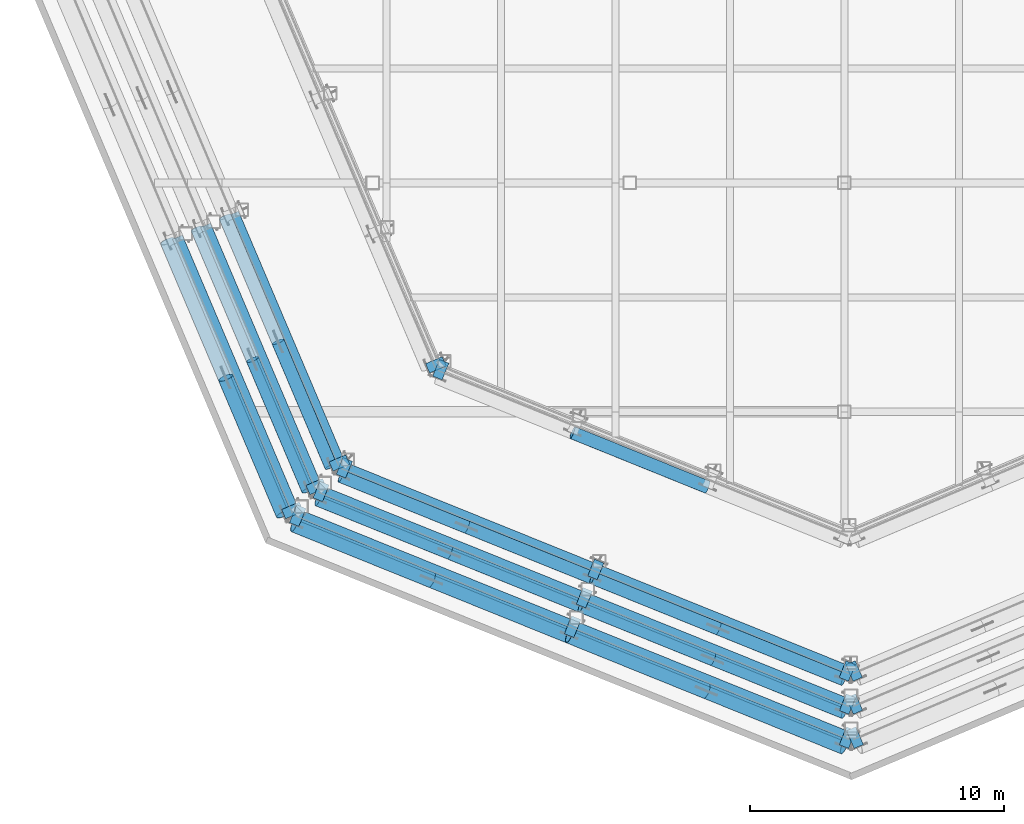
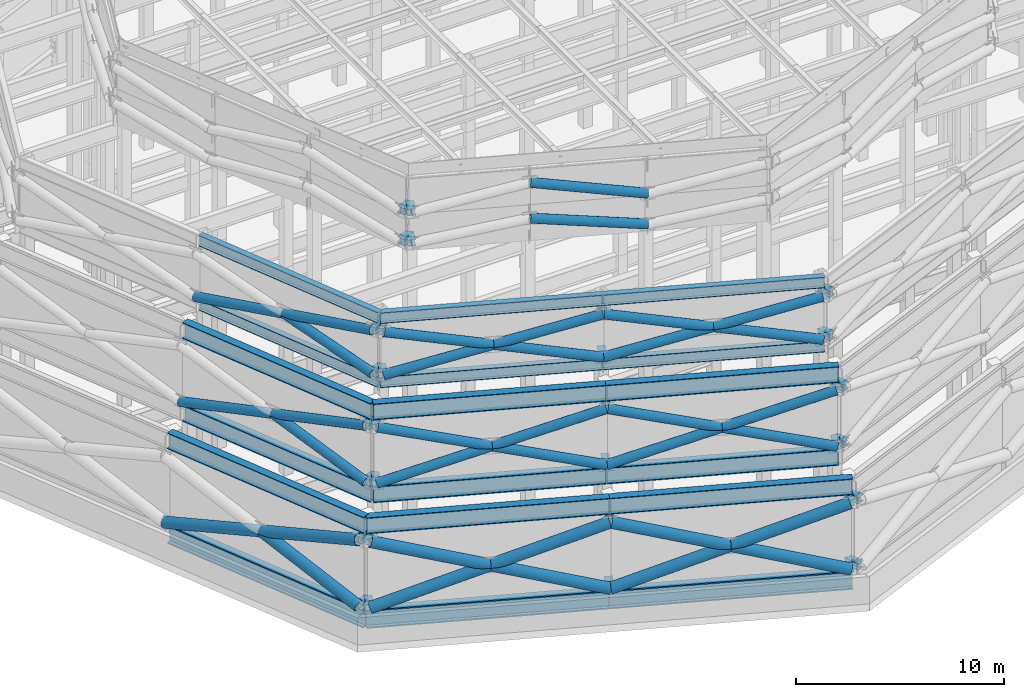
# One storey, part 3 of 19: 60 members, 18 beams.
"""IFC4 building model written with IfcOpenShell, lengths in metres."""

from ifc_helpers import new_model, si_unit, direction, frame, origin, origin_2d, place, context, subcontext, project, spatial, hollow_circle, i_section, extrude, material, material_profile, profile_set, type_object, element, save


model = new_model("IFC4")

# Units and contexts
model_context = context("Model", 3, precision=1e-05, world=origin(), true_north=direction((0.0, 1.0)))
body_context = subcontext(model_context, "Body", "Model", "MODEL_VIEW")
ifc_project = project(units=[si_unit("LENGTHUNIT", "METRE"), si_unit("AREAUNIT", "SQUARE_METRE"), si_unit("VOLUMEUNIT", "CUBIC_METRE"), si_unit("PLANEANGLEUNIT", "RADIAN"), si_unit("MASSUNIT", "GRAM", prefix="KILO")], contexts=[model_context])

# Site, building, storey
site_placement = place(None, origin())
site = spatial("IfcSite", under=ifc_project, at=site_placement, CompositionType="ELEMENT")
building_placement = place(site_placement, origin())
building = spatial("IfcBuilding", under=site, at=building_placement, Name="Orlundy Tower", CompositionType="ELEMENT")
storey_placement = place(building_placement, frame((0.0, 0.0, 304.300048828125)))
storey = spatial("IfcBuildingStorey", under=building, at=storey_placement, Name="Roof", CompositionType="ELEMENT", Elevation=304.300048828125)

# Beams
ifc_material_1 = material(Name="Steel ASTM A992 Gr 50", Category="steel")
ifc_material_profile_1 = material_profile(ifc_material_1, i_section(OverallWidth=0.3291015625, OverallDepth=0.635009765625, WebThickness=0.017822265625, FlangeThickness=0.031005859375, at=origin_2d()), Name="W24X162")
ifc_profile_set_1 = profile_set([ifc_material_profile_1], Name="Steel ASTM A992 Gr 50")
beam_type_1 = type_object("IfcBeamType", Name="CROWN FRAME beam W24X162", PredefinedType="BEAM", material=ifc_profile_set_1)
for number, where, z_axis, x_axis, name in (
    (1, (-23.97412109375, -10.176513671875, 12.617431640625), (0.39074046412, -0.920500890656, 0.0), (0.920500890656, 0.39074046412, 0.0), "CROWN FRAME foot ring beam 3-08"),
    (2, (-19.7587890625, -20.10693359375, 12.617431640625), (0.927183496705, -0.374607479154, 0.0), (0.374607479154, 0.927183496705, 0.0), "CROWN FRAME foot ring beam 3-09"),
):
    element("IfcBeam", number, at=place(storey_placement, frame(where, z_axis=z_axis, x_axis=x_axis)), inside=storey, type_object=beam_type_1, Name=name, PredefinedType="BEAM", context=body_context, shape_type="SweptSolid", body=[
        extrude(i_section(OverallWidth=0.3291015625, OverallDepth=0.635009765625, WebThickness=0.017822265625, FlangeThickness=0.031005859375, at=origin_2d()), origin(), (0.0, 0.0, 1.0), 10.7880859375),
    ])
beam_1_placement = place(storey_placement, frame((-9.75634765625, -24.148193359375, 12.617431640625), z_axis=(0.927191356917, -0.374588023912, 0.0), x_axis=(0.374588023912, 0.927191356917, 0.0)))
element("IfcBeam", 3, at=beam_1_placement, inside=storey, type_object=beam_type_1, Name="CROWN FRAME foot ring beam 3-10", PredefinedType="BEAM", context=body_context, shape_type="SweptSolid", body=[
    extrude(i_section(OverallWidth=0.3291015625, OverallDepth=0.635009765625, WebThickness=0.017822265625, FlangeThickness=0.031005859375, at=origin_2d()), origin(), (0.0, 0.0, 1.0), 10.787841796875),
])
for number, where, z_axis, x_axis, name in (
    (4, (-23.97412109375, -10.176513671875, 16.382568359375), (0.39074046412, -0.920500890656, 0.0), (0.920500890656, 0.39074046412, 0.0), "CROWN FRAME head ring beam 3-08"),
    (5, (-19.7587890625, -20.10693359375, 16.382568359375), (0.927183496705, -0.374607479154, 0.0), (0.374607479154, 0.927183496705, 0.0), "CROWN FRAME head ring beam 3-09"),
):
    element("IfcBeam", number, at=place(storey_placement, frame(where, z_axis=z_axis, x_axis=x_axis)), inside=storey, type_object=beam_type_1, Name=name, PredefinedType="BEAM", context=body_context, shape_type="SweptSolid", body=[
        extrude(i_section(OverallWidth=0.3291015625, OverallDepth=0.635009765625, WebThickness=0.017822265625, FlangeThickness=0.031005859375, at=origin_2d()), origin(), (0.0, 0.0, 1.0), 10.7880859375),
    ])
beam_2_placement = place(storey_placement, frame((-9.75634765625, -24.148193359375, 16.382568359375), z_axis=(0.927191356917, -0.374588023912, 0.0), x_axis=(0.374588023912, 0.927191356917, 0.0)))
element("IfcBeam", 6, at=beam_2_placement, inside=storey, type_object=beam_type_1, Name="CROWN FRAME head ring beam 3-10", PredefinedType="BEAM", context=body_context, shape_type="SweptSolid", body=[
    extrude(i_section(OverallWidth=0.3291015625, OverallDepth=0.635009765625, WebThickness=0.017822265625, FlangeThickness=0.031005859375, at=origin_2d()), origin(), (0.0, 0.0, 1.0), 10.787841796875),
])
ifc_material_2 = material(Name="Steel ASTM A992 Gr 50", Category="steel")
ifc_material_profile_2 = material_profile(ifc_material_2, i_section(OverallWidth=0.423095703125, OverallDepth=0.947265625, WebThickness=0.02392578125, FlangeThickness=0.042724609375, at=origin_2d()), Name="W36X302")
ifc_profile_set_2 = profile_set([ifc_material_profile_2], Name="Steel ASTM A992 Gr 50")
beam_type_2 = type_object("IfcBeamType", Name="CROWN FRAME beam W36X302", PredefinedType="BEAM", material=ifc_profile_set_2)
for number, where, z_axis, x_axis, name in (
    (7, (-26.2265625, -11.1328125, 6.0263671875), (0.390741095026, -0.920500622845, 0.0), (0.920500622845, 0.390741095026, 0.0), "CROWN FRAME head ring beam 1-08"),
    (8, (-21.615234375, -21.99609375, 6.0263671875), (0.927184224004, -0.374605679026, 0.0), (0.374605679026, 0.927184224004, 0.0), "CROWN FRAME head ring beam 1-09"),
):
    element("IfcBeam", number, at=place(storey_placement, frame(where, z_axis=z_axis, x_axis=x_axis)), inside=storey, type_object=beam_type_2, Name=name, PredefinedType="BEAM", context=body_context, shape_type="SweptSolid", body=[
        extrude(i_section(OverallWidth=0.423095703125, OverallDepth=0.947265625, WebThickness=0.02392578125, FlangeThickness=0.042724609375, at=origin_2d()), origin(), (0.0, 0.0, 1.0), 11.801513671875),
    ])
beam_3_placement = place(storey_placement, frame((-10.673095703125, -26.4169921875, 6.0263671875), z_axis=(0.927187126957, -0.374598493863, 0.0), x_axis=(0.374598493863, 0.927187126957, 0.0)))
element("IfcBeam", 9, at=beam_3_placement, inside=storey, type_object=beam_type_2, Name="CROWN FRAME head ring beam 1-10", PredefinedType="BEAM", context=body_context, shape_type="SweptSolid", body=[
    extrude(i_section(OverallWidth=0.423095703125, OverallDepth=0.947265625, WebThickness=0.02392578125, FlangeThickness=0.042724609375, at=origin_2d()), origin(), (0.0, 0.0, 1.0), 11.8017578125),
])
for number, where, z_axis, x_axis, name in (
    (10, (-25.121826171875, -10.663818359375, 6.9736328125), (0.390731757698, -0.920504586369, 0.0), (0.920504586369, 0.390731757698, 0.0), "CROWN FRAME foot ring beam 2-08"),
    (11, (-20.704833984375, -21.069580078125, 6.9736328125), (0.927188759701, -0.374594452553, 0.0), (0.374594452553, 0.927188759701, 0.0), "CROWN FRAME foot ring beam 2-09"),
    (12, (-10.223388671875, -25.30419921875, 6.9736328125), (0.927178227786, -0.374620519885, 0.0), (0.374620519885, 0.927178227786, 0.0), "CROWN FRAME foot ring beam 2-10"),
    (13, (-25.121826171875, -10.663818359375, 11.826416015625), (0.390731757698, -0.920504586369, 0.0), (0.920504586369, 0.390731757698, 0.0), "CROWN FRAME head ring beam 2-08"),
    (14, (-20.704833984375, -21.069580078125, 11.826416015625), (0.927188759701, -0.374594452553, 0.0), (0.374594452553, 0.927188759701, 0.0), "CROWN FRAME head ring beam 2-09"),
    (15, (-10.223388671875, -25.30419921875, 11.826416015625), (0.927178227786, -0.374620519885, 0.0), (0.374620519885, 0.927178227786, 0.0), "CROWN FRAME head ring beam 2-10"),
):
    element("IfcBeam", number, at=place(storey_placement, frame(where, z_axis=z_axis, x_axis=x_axis)), inside=storey, type_object=beam_type_2, Name=name, PredefinedType="BEAM", context=body_context, shape_type="SweptSolid", body=[
        extrude(i_section(OverallWidth=0.423095703125, OverallDepth=0.947265625, WebThickness=0.02392578125, FlangeThickness=0.042724609375, at=origin_2d()), origin(), (0.0, 0.0, 1.0), 11.304443359375),
    ])
ifc_material_3 = material(Name="Steel ASTM A992 Gr 50", Category="steel")
ifc_material_profile_3 = material_profile(ifc_material_3, i_section(OverallWidth=0.41650390625, OverallDepth=1.068115234375, WebThickness=0.0390625, FlangeThickness=0.070068359375, at=origin_2d()), Name="W40X503")
ifc_profile_set_3 = profile_set([ifc_material_profile_3], Name="Steel ASTM A992 Gr 50")
beam_type_3 = type_object("IfcBeamType", Name="CROWN FRAME beam W40X503", PredefinedType="BEAM", material=ifc_profile_set_3)
beam_4_placement = place(storey_placement, frame((-26.2236328125, -11.13134765625, 0.533935546875), z_axis=(0.390735799974, -0.920502870511, 0.0), x_axis=(0.920502870511, 0.390735799974, 0.0)))
element("IfcBeam", 16, at=beam_4_placement, inside=storey, type_object=beam_type_3, Name="CROWN FRAME foot ring beam 1-08", PredefinedType="BEAM", context=body_context, shape_type="SweptSolid", body=[
    extrude(i_section(OverallWidth=0.41650390625, OverallDepth=1.068115234375, WebThickness=0.0390625, FlangeThickness=0.070068359375, at=origin_2d()), origin(), (0.0, 0.0, 1.0), 11.80029296875),
])
beam_5_placement = place(storey_placement, frame((-21.61279296875, -21.99365234375, 0.533935546875), z_axis=(0.927184079381, -0.374606036981, 0.0), x_axis=(0.374606036981, 0.927184079381, 0.0)))
element("IfcBeam", 17, at=beam_5_placement, inside=storey, type_object=beam_type_3, Name="CROWN FRAME foot ring beam 1-09", PredefinedType="BEAM", context=body_context, shape_type="SweptSolid", body=[
    extrude(i_section(OverallWidth=0.41650390625, OverallDepth=1.068115234375, WebThickness=0.0390625, FlangeThickness=0.070068359375, at=origin_2d()), origin(), (0.0, 0.0, 1.0), 11.800048828125),
])
beam_6_placement = place(storey_placement, frame((-10.671875, -26.4140625, 0.533935546875), z_axis=(0.927194168391, -0.374581064793, 0.0), x_axis=(0.374581064793, 0.927194168391, 0.0)))
element("IfcBeam", 18, at=beam_6_placement, inside=storey, type_object=beam_type_3, Name="CROWN FRAME foot ring beam 1-10", PredefinedType="BEAM", context=body_context, shape_type="SweptSolid", body=[
    extrude(i_section(OverallWidth=0.41650390625, OverallDepth=1.068115234375, WebThickness=0.0390625, FlangeThickness=0.070068359375, at=origin_2d()), origin(), (0.0, 0.0, 1.0), 11.80029296875),
])

# Members
ifc_material_4 = material(Name="Steel ASTM A500 Gr C", Category="steel")
ifc_material_profile_4 = material_profile(ifc_material_4, hollow_circle(Radius=0.25390625, WallThickness=0.01171875, at=origin_2d()), Name="HSS20.000X0.500")
ifc_profile_set_4 = profile_set([ifc_material_profile_4], Name="Steel ASTM A500 Gr C")
member_type_1 = type_object("IfcMemberType", Name="CROWN FRAME diagonal HSS20.000X0.500", PredefinedType="BRACE", material=ifc_profile_set_4)
member_1_placement = place(storey_placement, frame((-25.45556640625, -10.805419921875, 7.7470703125), z_axis=(0.374642232115, -0.882610370828, 0.283975582088), x_axis=(0.920506219917, 0.390727909284, 0.0)))
element("IfcMember", 19, at=member_1_placement, inside=storey, type_object=member_type_1, Name="CROWN FRAME brace 2-08a", PredefinedType="BRACE", context=body_context, shape_type="SweptSolid", body=[
    extrude(hollow_circle(Radius=0.25390625, WallThickness=0.01171875, at=origin_2d()), origin(), (0.0, 0.0, 1.0), 11.640625),
])
member_2_placement = place(storey_placement, frame((-21.094482421875, -21.07958984375, 7.7470703125), z_axis=(-0.374617267841, 0.882621940422, 0.283972556632), x_axis=(-0.920517426031, -0.390701508026, 0.0)))
element("IfcMember", 20, at=member_2_placement, inside=storey, type_object=member_type_1, Name="CROWN FRAME brace 2-08ba", PredefinedType="BRACE", context=body_context, shape_type="SweptSolid", body=[
    extrude(hollow_circle(Radius=0.25390625, WallThickness=0.01171875, at=origin_2d()), origin(), (0.0, 0.0, 1.0), 5.8203125),
])
member_3_placement = place(storey_placement, frame((-20.7080078125, -21.459228515625, 7.7470703125), z_axis=(0.889016102704, -0.359180206537, 0.283971738673), x_axis=(0.374601559882, 0.927185888231, 0.0)))
element("IfcMember", 21, at=member_3_placement, inside=storey, type_object=member_type_1, Name="CROWN FRAME brace 2-09a", PredefinedType="BRACE", context=body_context, shape_type="SweptSolid", body=[
    extrude(hollow_circle(Radius=0.25390625, WallThickness=0.01171875, at=origin_2d()), origin(), (0.0, 0.0, 1.0), 11.640869140625),
])
member_4_placement = place(storey_placement, frame((-10.359130859375, -25.640380859375, 7.7470703125), z_axis=(-0.889020499537, 0.359173509674, 0.283966444061), x_axis=(-0.374593962885, -0.927188957532, 0.0)))
element("IfcMember", 22, at=member_4_placement, inside=storey, type_object=member_type_1, Name="CROWN FRAME brace 2-09ba", PredefinedType="BRACE", context=body_context, shape_type="SweptSolid", body=[
    extrude(hollow_circle(Radius=0.25390625, WallThickness=0.01171875, at=origin_2d()), origin(), (0.0, 0.0, 1.0), 5.820556640625),
])
member_5_placement = place(storey_placement, frame((-15.53369140625, -23.5498046875, 9.39990234375), z_axis=(-0.889011705625, 0.359186903617, 0.283977033457), x_axis=(-0.374609157162, -0.927182818742, 0.0)))
element("IfcMember", 23, at=member_5_placement, inside=storey, type_object=member_type_1, Name="CROWN FRAME brace 2-09bb", PredefinedType="BRACE", context=body_context, shape_type="SweptSolid", body=[
    extrude(hollow_circle(Radius=0.25390625, WallThickness=0.01171875, at=origin_2d()), origin(), (0.0, 0.0, 1.0), 5.8203125),
])
member_6_placement = place(storey_placement, frame((-10.359130859375, -25.640380859375, 7.7470703125), z_axis=(0.889011705625, -0.359186903617, 0.283977033457), x_axis=(0.374609157162, 0.927182818742, 0.0)))
element("IfcMember", 24, at=member_6_placement, inside=storey, type_object=member_type_1, Name="CROWN FRAME brace 2-10a", PredefinedType="BRACE", context=body_context, shape_type="SweptSolid", body=[
    extrude(hollow_circle(Radius=0.25390625, WallThickness=0.01171875, at=origin_2d()), origin(), (0.0, 0.0, 1.0), 11.640625),
])
for number, where, z_axis, x_axis, name in (
    (25, (-0.010498046875, -29.821533203125, 7.7470703125), (-0.889011705625, 0.359186903617, 0.283977033457), (-0.374609157162, -0.927182818742, 0.0), "CROWN FRAME brace 2-10ba"),
    (26, (-5.184814453125, -27.73095703125, 9.39990234375), (-0.889011705625, 0.359186903617, 0.283977033457), (-0.374609157162, -0.927182818742, 0.0), "CROWN FRAME brace 2-10bb"),
):
    element("IfcMember", number, at=place(storey_placement, frame(where, z_axis=z_axis, x_axis=x_axis)), inside=storey, type_object=member_type_1, Name=name, PredefinedType="BRACE", context=body_context, shape_type="SweptSolid", body=[
        extrude(hollow_circle(Radius=0.25390625, WallThickness=0.01171875, at=origin_2d()), origin(), (0.0, 0.0, 1.0), 5.8203125),
    ])
member_7_placement = place(storey_placement, frame((-24.35107421875, -10.33642578125, 13.23486328125), z_axis=(0.380184355408, -0.895642884147, 0.23083257998), x_axis=(0.920502448188, 0.390736794889, 0.0)))
element("IfcMember", 27, at=member_7_placement, inside=storey, type_object=member_type_1, Name="CROWN FRAME brace 3-08a", PredefinedType="BRACE", context=body_context, shape_type="SweptSolid", body=[
    extrude(hollow_circle(Radius=0.25390625, WallThickness=0.01171875, at=origin_2d()), origin(), (0.0, 0.0, 1.0), 10.96044921875),
])
member_8_placement = place(storey_placement, frame((-20.18408203125, -20.153076171875, 13.23486328125), z_axis=(-0.380189985283, 0.895633872055, 0.230858273229), x_axis=(-0.920498952892, -0.390745029048, 0.0)))
element("IfcMember", 28, at=member_8_placement, inside=storey, type_object=member_type_1, Name="CROWN FRAME brace 3-08ba", PredefinedType="BRACE", context=body_context, shape_type="SweptSolid", body=[
    extrude(hollow_circle(Radius=0.25390625, WallThickness=0.01171875, at=origin_2d()), origin(), (0.0, 0.0, 1.0), 5.480224609375),
])
member_9_placement = place(storey_placement, frame((-19.797607421875, -20.532958984375, 13.23486328125), z_axis=(0.902147436253, -0.364480839965, 0.230832667882), x_axis=(0.374597418943, 0.927187561242, 0.0)))
element("IfcMember", 29, at=member_9_placement, inside=storey, type_object=member_type_1, Name="CROWN FRAME brace 3-09a", PredefinedType="BRACE", context=body_context, shape_type="SweptSolid", body=[
    extrude(hollow_circle(Radius=0.25390625, WallThickness=0.01171875, at=origin_2d()), origin(), (0.0, 0.0, 1.0), 10.96044921875),
])
for number, where, z_axis, x_axis, name in (
    (30, (-9.90966796875, -24.52783203125, 13.23486328125), (-0.902131326643, 0.364505605659, 0.23085652023), (-0.374625050896, -0.927176397047, 0.0), "CROWN FRAME brace 3-09ba"),
    (31, (-14.853515625, -22.5302734375, 14.5), (-0.902163544342, 0.364456074083, 0.230808815527), (-0.374569787356, -0.92719872433, 0.0), "CROWN FRAME brace 3-09bb"),
):
    element("IfcMember", number, at=place(storey_placement, frame(where, z_axis=z_axis, x_axis=x_axis)), inside=storey, type_object=member_type_1, Name=name, PredefinedType="BRACE", context=body_context, shape_type="SweptSolid", body=[
        extrude(hollow_circle(Radius=0.25390625, WallThickness=0.01171875, at=origin_2d()), origin(), (0.0, 0.0, 1.0), 5.480224609375),
    ])
member_10_placement = place(storey_placement, frame((-9.90966796875, -24.52783203125, 13.23486328125), z_axis=(0.902143290139, -0.364488164359, 0.230837306561), x_axis=(0.374605370326, 0.927184348726, 0.0)))
element("IfcMember", 32, at=member_10_placement, inside=storey, type_object=member_type_1, Name="CROWN FRAME brace 3-10a", PredefinedType="BRACE", context=body_context, shape_type="SweptSolid", body=[
    extrude(hollow_circle(Radius=0.25390625, WallThickness=0.01171875, at=origin_2d()), origin(), (0.0, 0.0, 1.0), 10.960205078125),
])
member_11_placement = place(storey_placement, frame((-0.02197265625, -28.522705078125, 13.23486328125), z_axis=(-0.902131326643, 0.364505605659, 0.23085652023), x_axis=(-0.374625050896, -0.927176397047, 0.0)))
element("IfcMember", 33, at=member_11_placement, inside=storey, type_object=member_type_1, Name="CROWN FRAME brace 3-10ba", PredefinedType="BRACE", context=body_context, shape_type="SweptSolid", body=[
    extrude(hollow_circle(Radius=0.25390625, WallThickness=0.01171875, at=origin_2d()), origin(), (0.0, 0.0, 1.0), 5.480224609375),
])
member_12_placement = place(storey_placement, frame((-4.9658203125, -26.525146484375, 14.5), z_axis=(-0.902155253215, 0.364470722299, 0.230818092193), x_axis=(-0.37458568925, -0.927192300124, 0.0)))
element("IfcMember", 34, at=member_12_placement, inside=storey, type_object=member_type_1, Name="CROWN FRAME brace 3-10bb", PredefinedType="BRACE", context=body_context, shape_type="SweptSolid", body=[
    extrude(hollow_circle(Radius=0.25390625, WallThickness=0.01171875, at=origin_2d()), origin(), (0.0, 0.0, 1.0), 5.47998046875),
])
member_13_placement = place(storey_placement, frame((-5.380859375, -20.96484375, 17.299072265625), z_axis=(-0.915910251797, 0.370034982456, 0.15550730662), x_axis=(-0.374591990651, -0.927189754333, 0.0)))
element("IfcMember", 35, at=member_13_placement, inside=storey, type_object=member_type_1, Name="CROWN FRAME brace 4-14b", PredefinedType="BRACE", context=body_context, shape_type="SweptSolid", body=[
    extrude(hollow_circle(Radius=0.25390625, WallThickness=0.01171875, at=origin_2d()), origin(), (0.0, 0.0, 1.0), 5.799560546875),
])
member_14_placement = place(storey_placement, frame((-5.380859375, -20.96484375, 19.099853515625), z_axis=(-0.90746558564, 0.366623270569, 0.20516722047), x_axis=(-0.374591990651, -0.927189754333, 0.0)))
element("IfcMember", 36, at=member_14_placement, inside=storey, type_object=member_type_1, Name="CROWN FRAME brace 5-14b", PredefinedType="BRACE", context=body_context, shape_type="SweptSolid", body=[
    extrude(hollow_circle(Radius=0.25390625, WallThickness=0.01171875, at=origin_2d()), origin(), (0.0, 0.0, 1.0), 5.853515625),
])
ifc_material_5 = material(Name="Steel ASTM A1085 Gr A", Category="steel")
ifc_material_profile_5 = material_profile(ifc_material_5, hollow_circle(Radius=0.3046875, WallThickness=0.023681640625, at=origin_2d()), Name="HSS24.000X1.000")
ifc_profile_set_5 = profile_set([ifc_material_profile_5], Name="Steel ASTM A1085 Gr A")
member_type_2 = type_object("IfcMemberType", Name="CROWN FRAME diagonal HSS24.000X1.000", PredefinedType="BRACE", material=ifc_profile_set_5)
member_15_placement = place(storey_placement, frame((-26.60693359375, -11.294189453125, 1.3681640625), z_axis=(0.370701907246, -0.873302092117, 0.316106867795), x_axis=(0.920502138174, 0.390737525222, 0.0)))
element("IfcMember", 37, at=member_15_placement, inside=storey, type_object=member_type_2, Name="CROWN FRAME brace 1-08a", PredefinedType="BRACE", context=body_context, shape_type="SweptSolid", body=[
    extrude(hollow_circle(Radius=0.3046875, WallThickness=0.023681640625, at=origin_2d()), origin(), (0.0, 0.0, 1.0), 12.28857421875),
])
member_16_placement = place(storey_placement, frame((-22.051513671875, -22.02587890625, 1.3681640625), z_axis=(-0.370714940258, 0.8733058598, 0.316081173607), x_axis=(-0.920497803479, -0.39074773677, 0.0)))
element("IfcMember", 38, at=member_16_placement, inside=storey, type_object=member_type_2, Name="CROWN FRAME brace 1-08ba", PredefinedType="BRACE", context=body_context, shape_type="SweptSolid", body=[
    extrude(hollow_circle(Radius=0.3046875, WallThickness=0.023681640625, at=origin_2d()), origin(), (0.0, 0.0, 1.0), 6.14453125),
])
member_17_placement = place(storey_placement, frame((-21.63720703125, -22.432861328125, 1.3681640625), z_axis=(0.879640684096, -0.355392717269, 0.316114351771), x_axis=(0.374601892002, 0.927185754047, 0.0)))
element("IfcMember", 39, at=member_17_placement, inside=storey, type_object=member_type_2, Name="CROWN FRAME brace 1-09a", PredefinedType="BRACE", context=body_context, shape_type="SweptSolid", body=[
    extrude(hollow_circle(Radius=0.3046875, WallThickness=0.023681640625, at=origin_2d()), origin(), (0.0, 0.0, 1.0), 12.288330078125),
])
member_18_placement = place(storey_placement, frame((-10.827880859375, -26.800048828125, 1.3681640625), z_axis=(-0.879650702939, 0.355388738237, 0.316090945066), x_axis=(-0.374594618608, -0.927188692613, 0.0)))
element("IfcMember", 40, at=member_18_placement, inside=storey, type_object=member_type_2, Name="CROWN FRAME brace 1-09ba", PredefinedType="BRACE", context=body_context, shape_type="SweptSolid", body=[
    extrude(hollow_circle(Radius=0.3046875, WallThickness=0.023681640625, at=origin_2d()), origin(), (0.0, 0.0, 1.0), 6.144287109375),
])
member_19_placement = place(storey_placement, frame((-16.232666015625, -24.616455078125, 3.310302734375), z_axis=(-0.879630664444, 0.355396696155, 0.316137758789), x_axis=(-0.374609165656, -0.92718281531, 0.0)))
element("IfcMember", 41, at=member_19_placement, inside=storey, type_object=member_type_2, Name="CROWN FRAME brace 1-09bb", PredefinedType="BRACE", context=body_context, shape_type="SweptSolid", body=[
    extrude(hollow_circle(Radius=0.3046875, WallThickness=0.023681640625, at=origin_2d()), origin(), (0.0, 0.0, 1.0), 6.14404296875),
])
member_20_placement = place(storey_placement, frame((-10.827880859375, -26.800048828125, 1.3681640625), z_axis=(0.879638967775, -0.355403864273, 0.316106595363), x_axis=(0.374612621028, 0.927181419231, 0.0)))
element("IfcMember", 42, at=member_20_placement, inside=storey, type_object=member_type_2, Name="CROWN FRAME brace 1-10a", PredefinedType="BRACE", context=body_context, shape_type="SweptSolid", body=[
    extrude(hollow_circle(Radius=0.3046875, WallThickness=0.023681640625, at=origin_2d()), origin(), (0.0, 0.0, 1.0), 12.28857421875),
])
for number, where, z_axis, x_axis, name in (
    (43, (-0.018310546875, -31.16748046875, 1.3681640625), (-0.879650702939, 0.355388738237, 0.316090945066), (-0.374594618608, -0.927188692613, 0.0), "CROWN FRAME brace 1-10ba"),
    (44, (-5.423095703125, -28.98388671875, 3.310302734375), (-0.879627232386, 0.355418989687, 0.316122245048), (-0.374630623024, -0.927174145613, 0.0), "CROWN FRAME brace 1-10bb"),
):
    element("IfcMember", number, at=place(storey_placement, frame(where, z_axis=z_axis, x_axis=x_axis)), inside=storey, type_object=member_type_2, Name=name, PredefinedType="BRACE", context=body_context, shape_type="SweptSolid", body=[
        extrude(hollow_circle(Radius=0.3046875, WallThickness=0.023681640625, at=origin_2d()), origin(), (0.0, 0.0, 1.0), 6.144287109375),
    ])
ifc_material_6 = material(Name="Steel ASTM A992 Gr 50", Category="steel")
ifc_material_profile_6 = material_profile(ifc_material_6, i_section(OverallWidth=0.39892578125, OverallDepth=0.393310546875, WebThickness=0.022705078125, FlangeThickness=0.03662109375, at=origin_2d()), Name="W14X193")
ifc_profile_set_6 = profile_set([ifc_material_profile_6], Name="Steel ASTM A992 Gr 50")
member_type_3 = type_object("IfcMemberType", Name="CROWN FRAME strut W14X193", PredefinedType="STRUT", material=ifc_profile_set_6)
for number, where, z_axis, x_axis, name in (
    (45, (-21.35302734375, -21.729248046875, 5.252685546875), (-0.920438010061, -0.390888564217, 0.0), (0.390888564217, -0.920438010061, 0.0), "CROWN FRAME brace connector 1-08A1"),
    (46, (-21.35302734375, -21.729248046875, 1.3681640625), (-0.920438010061, -0.390888564217, 0.0), (0.390888564217, -0.920438010061, 0.0), "CROWN FRAME brace connector 1-08B0"),
    (47, (-21.35302734375, -21.729248046875, 1.3681640625), (-0.374494966738, -0.927228946856, 0.0), (0.927228946856, -0.374494966738, 0.0), "CROWN FRAME brace connector 1-09A0"),
    (48, (-10.54345703125, -26.0966796875, 5.252685546875), (-0.374883331065, -0.927071997252, 0.0), (0.927071997252, -0.374883331065, 0.0), "CROWN FRAME brace connector 1-09A1"),
    (49, (-10.54345703125, -26.0966796875, 1.3681640625), (-0.374883331065, -0.927071997252, 0.0), (0.927071997252, -0.374883331065, 0.0), "CROWN FRAME brace connector 1-09B0"),
    (50, (-21.35302734375, -21.729248046875, 5.252685546875), (-0.374494966738, -0.927228946856, 0.0), (0.927228946856, -0.374494966738, 0.0), "CROWN FRAME brace connector 1-09B1"),
):
    element("IfcMember", number, at=place(storey_placement, frame(where, z_axis=z_axis, x_axis=x_axis)), inside=storey, type_object=member_type_3, Name=name, PredefinedType="STRUT", context=body_context, shape_type="SweptSolid", body=[
        extrude(i_section(OverallWidth=0.39892578125, OverallDepth=0.393310546875, WebThickness=0.022705078125, FlangeThickness=0.03662109375, at=origin_2d()), origin(), (0.0, 0.0, 1.0), 0.7587890625),
    ])
for number, where, z_axis, x_axis, name in (
    (51, (0.26611328125, -30.4638671875, 5.252685546875), (-0.374771526163, -0.927117200346, 0.0), (0.927117200346, -0.374771526163, 0.0), "CROWN FRAME brace connector 1-10A1"),
    (52, (0.26611328125, -30.4638671875, 1.3681640625), (-0.374771526163, -0.927117200346, 0.0), (0.927117200346, -0.374771526163, 0.0), "CROWN FRAME brace connector 1-10B0"),
):
    element("IfcMember", number, at=place(storey_placement, frame(where, z_axis=z_axis, x_axis=x_axis)), inside=storey, type_object=member_type_3, Name=name, PredefinedType="STRUT", context=body_context, shape_type="SweptSolid", body=[
        extrude(i_section(OverallWidth=0.39892578125, OverallDepth=0.393310546875, WebThickness=0.022705078125, FlangeThickness=0.03662109375, at=origin_2d()), origin(), (0.0, 0.0, 1.0), 0.759033203125),
    ])
for number, where, z_axis, x_axis, name in (
    (53, (0.26611328125, -30.4638671875, 1.3681640625), (0.390615950511, -0.9205537351, 0.0), (0.9205537351, 0.390615950511, 0.0), "CROWN FRAME brace connector 1-11A0"),
    (54, (0.26611328125, -30.4638671875, 5.252685546875), (0.390615950511, -0.9205537351, 0.0), (0.9205537351, 0.390615950511, 0.0), "CROWN FRAME brace connector 1-11B1"),
):
    element("IfcMember", number, at=place(storey_placement, frame(where, z_axis=z_axis, x_axis=x_axis)), inside=storey, type_object=member_type_3, Name=name, PredefinedType="STRUT", context=body_context, shape_type="SweptSolid", body=[
        extrude(i_section(OverallWidth=0.39892578125, OverallDepth=0.393310546875, WebThickness=0.022705078125, FlangeThickness=0.03662109375, at=origin_2d()), origin(), (0.0, 0.0, 1.0), 0.7587890625),
    ])
for number, where, z_axis, x_axis, name in (
    (55, (-20.442626953125, -20.802978515625, 11.052734375), (-0.920547971742, -0.390629532578, 0.0), (0.390629532578, -0.920547971742, 0.0), "CROWN FRAME brace connector 2-08A1"),
    (56, (-20.442626953125, -20.802978515625, 7.7470703125), (-0.920547971742, -0.390629532578, 0.0), (0.390629532578, -0.920547971742, 0.0), "CROWN FRAME brace connector 2-08B0"),
):
    element("IfcMember", number, at=place(storey_placement, frame(where, z_axis=z_axis, x_axis=x_axis)), inside=storey, type_object=member_type_3, Name=name, PredefinedType="STRUT", context=body_context, shape_type="SweptSolid", body=[
        extrude(i_section(OverallWidth=0.39892578125, OverallDepth=0.393310546875, WebThickness=0.022705078125, FlangeThickness=0.03662109375, at=origin_2d()), origin(), (0.0, 0.0, 1.0), 0.7080078125),
    ])
member_21_placement = place(storey_placement, frame((-20.442626953125, -20.802978515625, 7.7470703125), z_axis=(-0.374896397824, -0.927066713294, 0.0), x_axis=(0.927066713294, -0.374896397824, 0.0)))
element("IfcMember", 57, at=member_21_placement, inside=storey, type_object=member_type_3, Name="CROWN FRAME brace connector 2-09A0", PredefinedType="STRUT", context=body_context, shape_type="SweptSolid", body=[
    extrude(i_section(OverallWidth=0.39892578125, OverallDepth=0.393310546875, WebThickness=0.022705078125, FlangeThickness=0.03662109375, at=origin_2d()), origin(), (0.0, 0.0, 1.0), 0.707763671875),
])
for number, where, z_axis, x_axis, name in (
    (58, (-10.093994140625, -24.98388671875, 11.052734375), (-0.374480153744, -0.927234929482, 0.0), (0.927234929482, -0.374480153744, 0.0), "CROWN FRAME brace connector 2-09A1"),
    (59, (-10.093994140625, -24.98388671875, 7.7470703125), (-0.374480153744, -0.927234929482, 0.0), (0.927234929482, -0.374480153744, 0.0), "CROWN FRAME brace connector 2-09B0"),
):
    element("IfcMember", number, at=place(storey_placement, frame(where, z_axis=z_axis, x_axis=x_axis)), inside=storey, type_object=member_type_3, Name=name, PredefinedType="STRUT", context=body_context, shape_type="SweptSolid", body=[
        extrude(i_section(OverallWidth=0.39892578125, OverallDepth=0.393310546875, WebThickness=0.022705078125, FlangeThickness=0.03662109375, at=origin_2d()), origin(), (0.0, 0.0, 1.0), 0.7080078125),
    ])
member_22_placement = place(storey_placement, frame((-20.442626953125, -20.802978515625, 11.052734375), z_axis=(-0.374896397824, -0.927066713294, 0.0), x_axis=(0.927066713294, -0.374896397824, 0.0)))
element("IfcMember", 60, at=member_22_placement, inside=storey, type_object=member_type_3, Name="CROWN FRAME brace connector 2-09B1", PredefinedType="STRUT", context=body_context, shape_type="SweptSolid", body=[
    extrude(i_section(OverallWidth=0.39892578125, OverallDepth=0.393310546875, WebThickness=0.022705078125, FlangeThickness=0.03662109375, at=origin_2d()), origin(), (0.0, 0.0, 1.0), 0.707763671875),
])
for number, where, z_axis, x_axis, name in (
    (61, (0.254638671875, -29.1650390625, 11.052734375), (-0.374480153744, -0.927234929482, 0.0), (0.927234929482, -0.374480153744, 0.0), "CROWN FRAME brace connector 2-10A1"),
    (62, (0.254638671875, -29.1650390625, 7.7470703125), (-0.374480153744, -0.927234929482, 0.0), (0.927234929482, -0.374480153744, 0.0), "CROWN FRAME brace connector 2-10B0"),
    (63, (0.254638671875, -29.1650390625, 7.7470703125), (0.390753546975, -0.920495337048, 0.0), (0.920495337048, 0.390753546975, 0.0), "CROWN FRAME brace connector 2-11A0"),
    (64, (0.254638671875, -29.1650390625, 11.052734375), (0.390753546975, -0.920495337048, 0.0), (0.920495337048, 0.390753546975, 0.0), "CROWN FRAME brace connector 2-11B1"),
    (65, (-19.5322265625, -19.87646484375, 15.764892578125), (-0.920547971742, -0.390629532578, 0.0), (0.390629532578, -0.920547971742, 0.0), "CROWN FRAME brace connector 3-08A1"),
    (66, (-19.5322265625, -19.87646484375, 13.23486328125), (-0.920547971742, -0.390629532578, 0.0), (0.390629532578, -0.920547971742, 0.0), "CROWN FRAME brace connector 3-08B0"),
    (67, (-19.5322265625, -19.87646484375, 13.23486328125), (-0.374776564809, -0.927115163542, 0.0), (0.927115163542, -0.374776564809, 0.0), "CROWN FRAME brace connector 3-09A0"),
    (68, (-9.64453125, -23.871337890625, 15.764892578125), (-0.374480153744, -0.927234929482, 0.0), (0.927234929482, -0.374480153744, 0.0), "CROWN FRAME brace connector 3-09A1"),
    (69, (-9.64453125, -23.871337890625, 13.23486328125), (-0.374480153744, -0.927234929482, 0.0), (0.927234929482, -0.374480153744, 0.0), "CROWN FRAME brace connector 3-09B0"),
    (70, (-19.5322265625, -19.87646484375, 15.764892578125), (-0.374776564809, -0.927115163542, 0.0), (0.927115163542, -0.374776564809, 0.0), "CROWN FRAME brace connector 3-09B1"),
    (71, (0.243408203125, -27.8662109375, 15.764892578125), (-0.374776564809, -0.927115163542, 0.0), (0.927115163542, -0.374776564809, 0.0), "CROWN FRAME brace connector 3-10A1"),
    (72, (0.243408203125, -27.8662109375, 13.23486328125), (-0.374776564809, -0.927115163542, 0.0), (0.927115163542, -0.374776564809, 0.0), "CROWN FRAME brace connector 3-10B0"),
    (73, (0.243408203125, -27.8662109375, 13.23486328125), (0.390753546975, -0.920495337048, 0.0), (0.920495337048, 0.390753546975, 0.0), "CROWN FRAME brace connector 3-11A0"),
    (74, (0.243408203125, -27.8662109375, 15.764892578125), (0.390753546975, -0.920495337048, 0.0), (0.920495337048, 0.390753546975, 0.0), "CROWN FRAME brace connector 3-11B1"),
    (75, (-15.739013671875, -16.016357421875, 17.299072265625), (-0.920547971742, -0.390629532578, 0.0), (0.390629532578, -0.920547971742, 0.0), "CROWN FRAME brace connector 4-12B0"),
    (76, (-15.739013671875, -16.016357421875, 17.299072265625), (-0.374776564809, -0.927115163542, 0.0), (0.927115163542, -0.374776564809, 0.0), "CROWN FRAME brace connector 4-13A0"),
    (77, (-15.739013671875, -16.016357421875, 19.099853515625), (-0.920547971742, -0.390629532578, 0.0), (0.390629532578, -0.920547971742, 0.0), "CROWN FRAME brace connector 5-12B0"),
    (78, (-15.739013671875, -16.016357421875, 19.099853515625), (-0.374776564809, -0.927115163542, 0.0), (0.927115163542, -0.374776564809, 0.0), "CROWN FRAME brace connector 5-13A0"),
):
    element("IfcMember", number, at=place(storey_placement, frame(where, z_axis=z_axis, x_axis=x_axis)), inside=storey, type_object=member_type_3, Name=name, PredefinedType="STRUT", context=body_context, shape_type="SweptSolid", body=[
        extrude(i_section(OverallWidth=0.39892578125, OverallDepth=0.393310546875, WebThickness=0.022705078125, FlangeThickness=0.03662109375, at=origin_2d()), origin(), (0.0, 0.0, 1.0), 0.7080078125),
    ])

save(model, "model.ifc")
